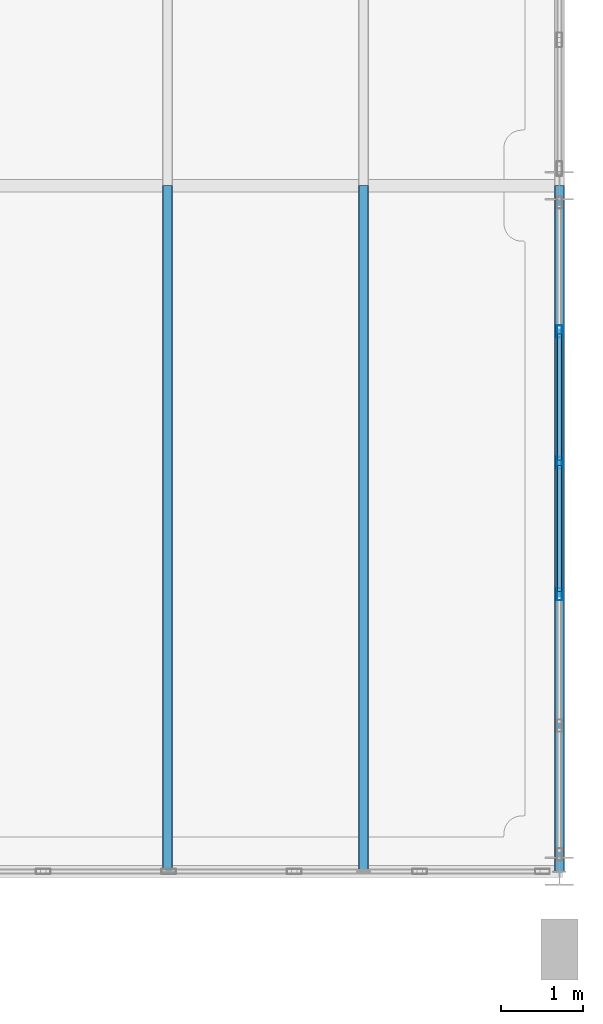
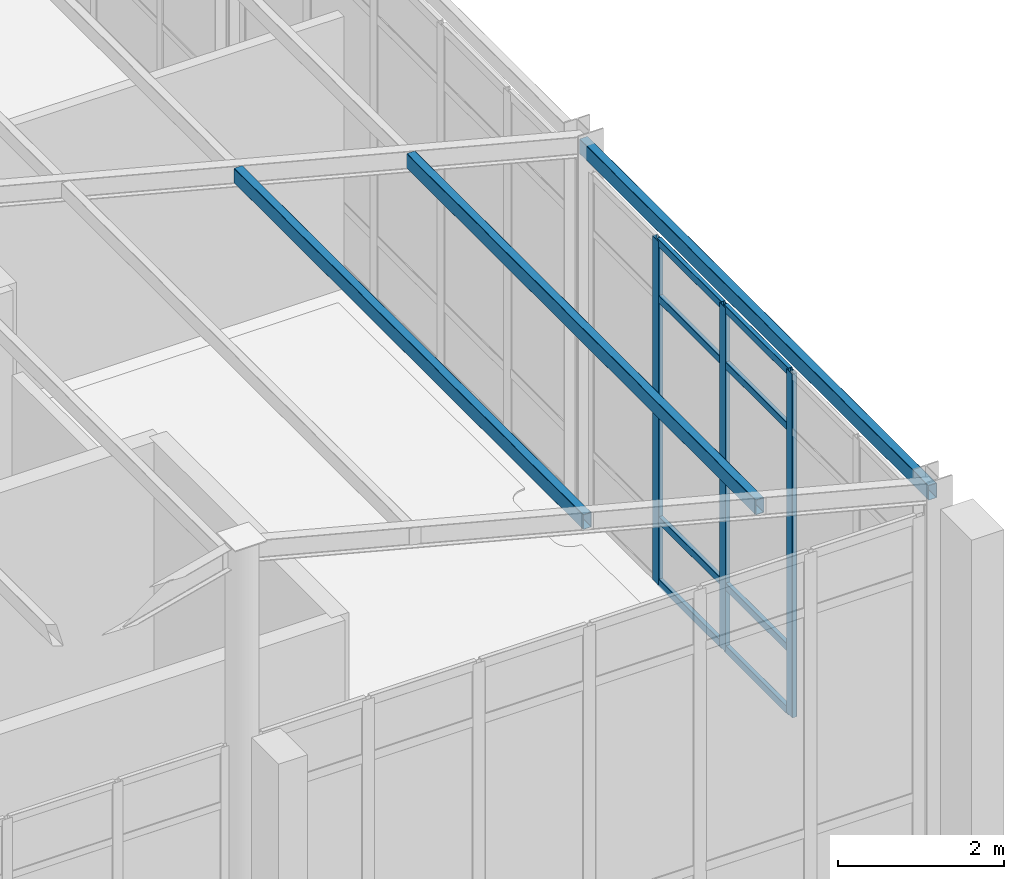
# One storey, part 14 of 121: 14 members, 1 element without a shape of its own.
"""IFC4 building model written with IfcOpenShell, lengths in metres."""

from ifc_helpers import new_model, si_unit, direction, frame, origin, origin_2d, place, context, subcontext, project, spatial, hollow_rectangle, extrude, material, material_profile, profile_set, type_object, element, aggregate, save


model = new_model("IFC4")

# Units and contexts
model_context = context("Model", 3, precision=1e-05, world=origin(), true_north=direction((0.0, 1.0)))
body_context = subcontext(model_context, "Body", "Model", "MODEL_VIEW")
ifc_project = project(units=[si_unit("LENGTHUNIT", "METRE"), si_unit("AREAUNIT", "SQUARE_METRE"), si_unit("VOLUMEUNIT", "CUBIC_METRE"), si_unit("PLANEANGLEUNIT", "RADIAN"), si_unit("MASSUNIT", "GRAM", prefix="KILO")], contexts=[model_context])

# Site, building, storey
site_placement = place(None, origin())
site = spatial("IfcSite", under=ifc_project, at=site_placement, CompositionType="ELEMENT")
building_placement = place(site_placement, origin())
building = spatial("IfcBuilding", under=site, at=building_placement, Name="Canglan Escarpment Cableway Terminal", CompositionType="ELEMENT")
storey_placement = place(building_placement, frame((0.0, 0.0, 24.60009765625)))
storey = spatial("IfcBuildingStorey", under=building, at=storey_placement, Name="L05", CompositionType="ELEMENT", Elevation=24.60009765625)

# Curtain wall, members
ifc_material_1 = material(Name="Anodized bronze aluminium and Low-E double glazing", Category="aluminium")
curtain_wall_type = type_object("IfcCurtainWallType", Name="CW-BAY-8050x5050", PredefinedType="NOTDEFINED", material=ifc_material_1)
curtain_wall_placement = place(storey_placement, origin())
curtain_wall = element("IfcCurtainWall", 1, at=curtain_wall_placement, inside=storey, type_object=curtain_wall_type, Name="Classical bay-between-piers glazed curtain wall CW-38", PredefinedType="NOTDEFINED")
ifc_material_2 = material(Name="Thermally broken anodized aluminium 6063-T6", Category="aluminium")
ifc_material_profile_1 = material_profile(ifc_material_2, hollow_rectangle(XDim=0.06494140625, YDim=0.14990234375, WallThickness=0.00341796875, InnerFilletRadius=0.00341796875, OuterFilletRadius=0.007080078125, at=origin_2d()), Name="ALU-MULL 65x150x3.5")
ifc_profile_set_1 = profile_set([ifc_material_profile_1], Name="Thermally broken anodized aluminium 6063-T6")
member_type_1 = type_object("IfcMemberType", Name="CWM-02", PredefinedType="MULLION", material=ifc_profile_set_1)
member_1_placement = place(storey_placement, frame((166.39990234375, 11.39501953125, 0.0), z_axis=(0.0, 0.0, 1.0), x_axis=(-1.0, 0.0, 0.0)))
member_1 = element("IfcMember", 2, at=member_1_placement, type_object=member_type_1, Name="CW-38 mullion 3", PredefinedType="MULLION", context=body_context, shape_type="SweptSolid", body=[
    extrude(hollow_rectangle(XDim=0.06494140625, YDim=0.14990234375, WallThickness=0.00341796875, InnerFilletRadius=0.00341796875, OuterFilletRadius=0.007080078125, at=origin_2d()), origin(), (0.0, 0.0, 1.0), 5.0498046875),
])
member_2_placement = place(storey_placement, frame((166.39990234375, 13.0048828125, 0.0), z_axis=(0.0, 0.0, 1.0), x_axis=(-1.0, 0.0, 0.0)))
member_2 = element("IfcMember", 3, at=member_2_placement, type_object=member_type_1, Name="CW-38 mullion 4", PredefinedType="MULLION", context=body_context, shape_type="SweptSolid", body=[
    extrude(hollow_rectangle(XDim=0.06494140625, YDim=0.14990234375, WallThickness=0.00341796875, InnerFilletRadius=0.00341796875, OuterFilletRadius=0.007080078125, at=origin_2d()), origin(), (0.0, 0.0, 1.0), 5.0498046875),
])
member_3_placement = place(storey_placement, frame((166.39990234375, 14.614990234375, 0.0), z_axis=(0.0, 0.0, 1.0), x_axis=(-1.0, 0.0, 0.0)))
member_3 = element("IfcMember", 4, at=member_3_placement, type_object=member_type_1, Name="CW-38 mullion 5", PredefinedType="MULLION", context=body_context, shape_type="SweptSolid", body=[
    extrude(hollow_rectangle(XDim=0.06494140625, YDim=0.14990234375, WallThickness=0.00341796875, InnerFilletRadius=0.00341796875, OuterFilletRadius=0.007080078125, at=origin_2d()), origin(), (0.0, 0.0, 1.0), 5.0498046875),
])
ifc_material_profile_2 = material_profile(ifc_material_2, hollow_rectangle(XDim=0.06005859375, YDim=0.110107421875, WallThickness=0.0029296875, InnerFilletRadius=0.0029296875, OuterFilletRadius=0.006103515625, at=origin_2d()), Name="ALU-TRAN 60x110x3")
ifc_profile_set_2 = profile_set([ifc_material_profile_2], Name="Thermally broken anodized aluminium 6063-T6")
member_type_2 = type_object("IfcMemberType", Name="CWT-02", PredefinedType="USERDEFINED", material=ifc_profile_set_2)
member_4_placement = place(storey_placement, frame((166.39990234375, 11.427490234375, 0.02978515625), z_axis=(0.0, 1.0, 0.0), x_axis=(-1.0, 0.0, 0.0)))
member_4 = element("IfcMember", 5, at=member_4_placement, type_object=member_type_2, Name="CW-38 transom 3.1", ObjectType="TRANSOM", PredefinedType="USERDEFINED", context=body_context, shape_type="SweptSolid", body=[
    extrude(hollow_rectangle(XDim=0.06005859375, YDim=0.110107421875, WallThickness=0.0029296875, InnerFilletRadius=0.0029296875, OuterFilletRadius=0.006103515625, at=origin_2d()), origin(), (0.0, 0.0, 1.0), 1.544921875),
])
member_5_placement = place(storey_placement, frame((166.39990234375, 11.427490234375, 0.949951171875), z_axis=(0.0, 1.0, 0.0), x_axis=(-1.0, 0.0, 0.0)))
member_5 = element("IfcMember", 6, at=member_5_placement, type_object=member_type_2, Name="CW-38 transom 3.2", ObjectType="TRANSOM", PredefinedType="USERDEFINED", context=body_context, shape_type="SweptSolid", body=[
    extrude(hollow_rectangle(XDim=0.06005859375, YDim=0.110107421875, WallThickness=0.0029296875, InnerFilletRadius=0.0029296875, OuterFilletRadius=0.006103515625, at=origin_2d()), origin(), (0.0, 0.0, 1.0), 1.544921875),
])
member_6_placement = place(storey_placement, frame((166.39990234375, 11.427490234375, 4.199951171875), z_axis=(0.0, 1.0, 0.0), x_axis=(-1.0, 0.0, 0.0)))
member_6 = element("IfcMember", 7, at=member_6_placement, type_object=member_type_2, Name="CW-38 transom 3.3", ObjectType="TRANSOM", PredefinedType="USERDEFINED", context=body_context, shape_type="SweptSolid", body=[
    extrude(hollow_rectangle(XDim=0.06005859375, YDim=0.110107421875, WallThickness=0.0029296875, InnerFilletRadius=0.0029296875, OuterFilletRadius=0.006103515625, at=origin_2d()), origin(), (0.0, 0.0, 1.0), 1.544921875),
])
member_7_placement = place(storey_placement, frame((166.39990234375, 11.427490234375, 5.02001953125), z_axis=(0.0, 1.0, 0.0), x_axis=(-1.0, 0.0, 0.0)))
member_7 = element("IfcMember", 8, at=member_7_placement, type_object=member_type_2, Name="CW-38 transom 3.4", ObjectType="TRANSOM", PredefinedType="USERDEFINED", context=body_context, shape_type="SweptSolid", body=[
    extrude(hollow_rectangle(XDim=0.06005859375, YDim=0.110107421875, WallThickness=0.0029296875, InnerFilletRadius=0.0029296875, OuterFilletRadius=0.006103515625, at=origin_2d()), origin(), (0.0, 0.0, 1.0), 1.544921875),
])
member_8_placement = place(storey_placement, frame((166.39990234375, 13.03759765625, 0.02978515625), z_axis=(0.0, 1.0, 0.0), x_axis=(-1.0, 0.0, 0.0)))
member_8 = element("IfcMember", 9, at=member_8_placement, type_object=member_type_2, Name="CW-38 transom 4.1", ObjectType="TRANSOM", PredefinedType="USERDEFINED", context=body_context, shape_type="SweptSolid", body=[
    extrude(hollow_rectangle(XDim=0.06005859375, YDim=0.110107421875, WallThickness=0.0029296875, InnerFilletRadius=0.0029296875, OuterFilletRadius=0.006103515625, at=origin_2d()), origin(), (0.0, 0.0, 1.0), 1.544921875),
])
member_9_placement = place(storey_placement, frame((166.39990234375, 13.03759765625, 0.949951171875), z_axis=(0.0, 1.0, 0.0), x_axis=(-1.0, 0.0, 0.0)))
member_9 = element("IfcMember", 10, at=member_9_placement, type_object=member_type_2, Name="CW-38 transom 4.2", ObjectType="TRANSOM", PredefinedType="USERDEFINED", context=body_context, shape_type="SweptSolid", body=[
    extrude(hollow_rectangle(XDim=0.06005859375, YDim=0.110107421875, WallThickness=0.0029296875, InnerFilletRadius=0.0029296875, OuterFilletRadius=0.006103515625, at=origin_2d()), origin(), (0.0, 0.0, 1.0), 1.544921875),
])
member_10_placement = place(storey_placement, frame((166.39990234375, 13.03759765625, 4.199951171875), z_axis=(0.0, 1.0, 0.0), x_axis=(-1.0, 0.0, 0.0)))
member_10 = element("IfcMember", 11, at=member_10_placement, type_object=member_type_2, Name="CW-38 transom 4.3", ObjectType="TRANSOM", PredefinedType="USERDEFINED", context=body_context, shape_type="SweptSolid", body=[
    extrude(hollow_rectangle(XDim=0.06005859375, YDim=0.110107421875, WallThickness=0.0029296875, InnerFilletRadius=0.0029296875, OuterFilletRadius=0.006103515625, at=origin_2d()), origin(), (0.0, 0.0, 1.0), 1.544921875),
])
member_11_placement = place(storey_placement, frame((166.39990234375, 13.03759765625, 5.02001953125), z_axis=(0.0, 1.0, 0.0), x_axis=(-1.0, 0.0, 0.0)))
member_11 = element("IfcMember", 12, at=member_11_placement, type_object=member_type_2, Name="CW-38 transom 4.4", ObjectType="TRANSOM", PredefinedType="USERDEFINED", context=body_context, shape_type="SweptSolid", body=[
    extrude(hollow_rectangle(XDim=0.06005859375, YDim=0.110107421875, WallThickness=0.0029296875, InnerFilletRadius=0.0029296875, OuterFilletRadius=0.006103515625, at=origin_2d()), origin(), (0.0, 0.0, 1.0), 1.544921875),
])
aggregate(curtain_wall, [member_1, member_2, member_3, member_4, member_5, member_6, member_7, member_8, member_9, member_10, member_11])

# Members
ifc_material_3 = material(Name="Steel Q355B", Category="steel")
ifc_material_profile_3 = material_profile(ifc_material_3, hollow_rectangle(XDim=0.1201171875, YDim=0.219970703125, WallThickness=0.006103515625, InnerFilletRadius=0.006103515625, OuterFilletRadius=0.011962890625, at=origin_2d()), Name="RHS 220x120x6")
ifc_profile_set_3 = profile_set([ifc_material_profile_3], Name="Steel Q355B")
member_type_3 = type_object("IfcMemberType", Name="MB-PAV-PUR-RHS220", PredefinedType="PURLIN", material=ifc_profile_set_3)
for number, where, z_axis, x_axis, name in (
    (13, (161.60009765625, 8.0, 6.579833984375), (0.0, 1.0, 0.0), (-1.0, 0.0, 0.0), "Pedimented pavilion purlin PR-03"),
    (14, (164.0, 8.0, 5.954833984375), (0.0, 1.0, 0.0), (-1.0, 0.0, 0.0), "Pedimented pavilion purlin PR-03"),
    (15, (166.39990234375, 8.0, 5.329833984375), (0.0, 1.0, 0.0), (-1.0, 0.0, 0.0), "Pedimented pavilion purlin PR-03"),
):
    element("IfcMember", number, at=place(storey_placement, frame(where, z_axis=z_axis, x_axis=x_axis)), inside=storey, type_object=member_type_3, Name=name, PredefinedType="PURLIN", context=body_context, shape_type="SweptSolid", body=[
        extrude(hollow_rectangle(XDim=0.1201171875, YDim=0.219970703125, WallThickness=0.006103515625, InnerFilletRadius=0.006103515625, OuterFilletRadius=0.011962890625, at=origin_2d()), origin(), (0.0, 0.0, 1.0), 8.39990234375),
    ])

save(model, "model.ifc")
